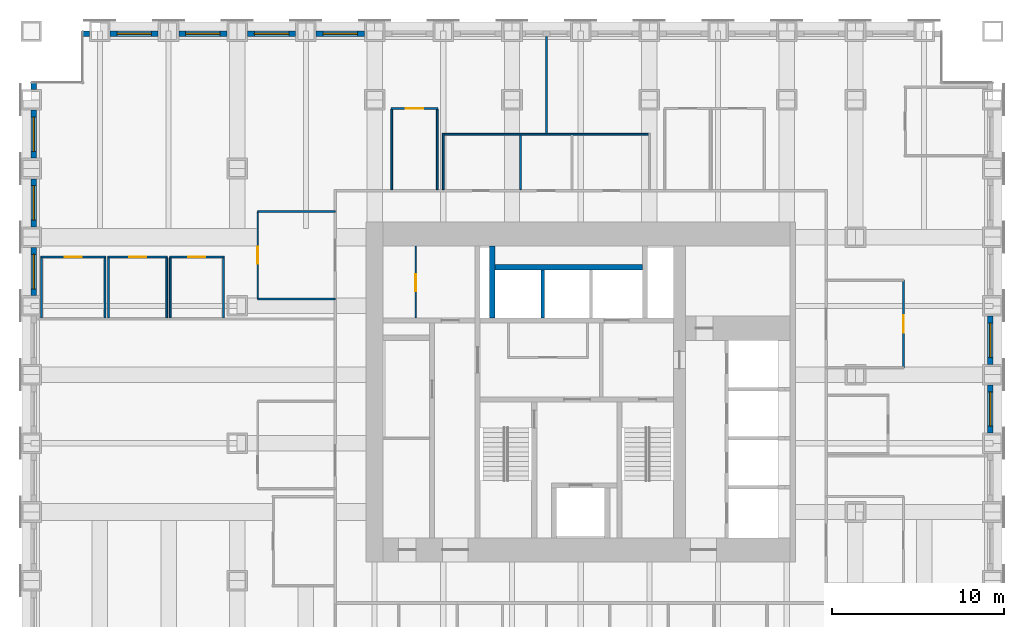
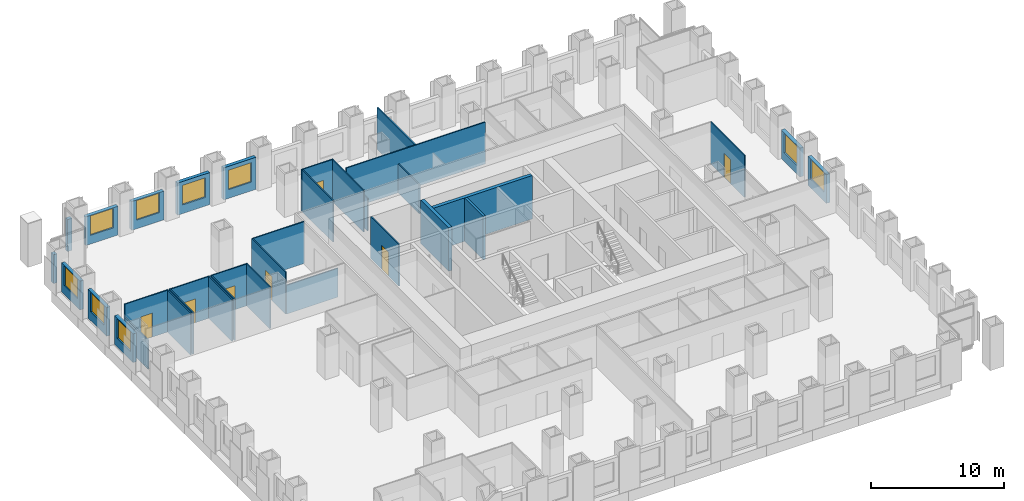
# One storey, part 11 of 15: 35 walls, 9 windows, 7 doors, 16 openings.
"""IFC4 building model written with IfcOpenShell, lengths in metres."""

from ifc_helpers import new_model, si_unit, direction, frame, frame_2d, origin, place, context, subcontext, project, spatial, rectangle, extrude, material, layer, layer_set, type_object, element, fill, save


model = new_model("IFC4")

# Units and contexts
model_context = context("Model", 3, precision=1e-05, world=origin(), true_north=direction((0.0, 1.0)))
body_context = subcontext(model_context, "Body", "Model", "MODEL_VIEW")
ifc_project = project(units=[si_unit("LENGTHUNIT", "METRE"), si_unit("AREAUNIT", "SQUARE_METRE"), si_unit("VOLUMEUNIT", "CUBIC_METRE"), si_unit("PLANEANGLEUNIT", "RADIAN"), si_unit("MASSUNIT", "GRAM", prefix="KILO")], contexts=[model_context])

# Site, building, storey
site_placement = place(None, origin())
site = spatial("IfcSite", under=ifc_project, at=site_placement, CompositionType="ELEMENT")
building_placement = place(site_placement, origin())
building = spatial("IfcBuilding", under=site, at=building_placement, Name="Rimbunsela Tower", CompositionType="ELEMENT")
storey_placement = place(building_placement, frame((0.0, 0.0, 67.0)))
storey = spatial("IfcBuildingStorey", under=building, at=storey_placement, Name="L16", CompositionType="ELEMENT", Elevation=67.0)

# Walls
ifc_material_1 = material(Name="Concrete fc' 80 MPa", Category="concrete")
ifc_layer_1 = layer(ifc_material_1, 0.300048828125)
ifc_layer_set_1 = layer_set([ifc_layer_1], Name="Core internal wall 300")
wall_type_1 = type_object("IfcWallType", Name="Core internal wall 300", PredefinedType="SHEAR", material=ifc_layer_set_1)
wall_1_placement = place(storey_placement, frame((24.85009765625, 31.300048828125, -0.14990234375), z_axis=(0.0, 0.0, 1.0), x_axis=(0.0, 1.0, 0.0)))
element("IfcWall", 1, at=wall_1_placement, inside=storey, type_object=wall_type_1, Name="Riser wall", PredefinedType="SHEAR", context=body_context, shape_type="SweptSolid", body=[
    extrude(rectangle(XDim=4.199951171875, YDim=0.300048828125, at=frame_2d((2.10009765625, 0.0))), origin(), (0.0, 0.0, 1.0), 4.0),
])
wall_2_placement = place(storey_placement, frame((25.0, 34.25, -0.14990234375), z_axis=(0.0, 0.0, 1.0), x_axis=(1.0, 0.0, 0.0)))
element("IfcWall", 2, at=wall_2_placement, inside=storey, type_object=wall_type_1, Name="Lift shaft rear north", PredefinedType="SHEAR", context=body_context, shape_type="SweptSolid", body=[
    extrude(rectangle(XDim=8.60009765625, YDim=0.300048828125, at=frame_2d((4.300048828125, 0.0))), origin(), (0.0, 0.0, 1.0), 4.0),
])

# Wall, opening, door
ifc_material_2 = material(Name="Concrete blockwork", Category="masonry")
ifc_layer_2 = layer(ifc_material_2, 0.10009765625)
ifc_layer_set_2 = layer_set([ifc_layer_2], Name="Core room partition 100")
wall_type_2 = type_object("IfcWallType", Name="Core room partition 100", PredefinedType="PARTITIONING", material=ifc_layer_set_2)
wall_3_placement = place(storey_placement, frame((20.39990234375, 31.300048828125, 0.0), z_axis=(0.0, 0.0, 1.0), x_axis=(0.0, 1.0, 0.0)))
wall_3 = element("IfcWall", 3, at=wall_3_placement, inside=storey, type_object=wall_type_2, Name="Housekeeping store wall", PredefinedType="PARTITIONING", context=body_context, shape_type="SweptSolid", body=[
    extrude(rectangle(XDim=4.199951171875, YDim=0.10009765625, at=frame_2d((2.10009765625, 0.0))), origin(), (0.0, 0.0, 1.0), 3.85009765625),
])
opening_1_placement = place(wall_3_placement, frame((1.550048828125, 0.0, 0.0)))
opening_1 = element("IfcOpeningElement", 4, at=opening_1_placement, cuts=wall_3, Name="Opening D19", PredefinedType="OPENING", context=body_context, shape_type="SweptSolid", body=[
    extrude(rectangle(XDim=1.0, YDim=2.199951171875, at=frame_2d((0.5, 1.10009765625))), frame((0.0, 0.06005859375, 0.0), z_axis=(0.0, -1.0, 0.0), x_axis=(1.0, 0.0, 0.0)), (0.0, 0.0, 1.0), 0.1201171875),
])
ifc_material_3 = material(Name="Steel door, fire rated", Category="steel")
door_type_1 = type_object("IfcDoorType", Name="Service door 1000 fire rated", OperationType="SINGLE_SWING_LEFT", PredefinedType="DOOR", material=ifc_material_3)
door_1_placement = place(opening_1_placement, origin())
door_1 = element("IfcDoor", 5, at=door_1_placement, inside=storey, type_object=door_type_1, Name="Housekeeping store door", OperationType="SINGLE_SWING_LEFT", OverallHeight=2.199951171875, OverallWidth=1.0, PredefinedType="DOOR", context=body_context, shape_type="SweptSolid", body=[
    extrude(rectangle(XDim=1.0, YDim=2.199951171875, at=frame_2d((0.5, 1.10009765625))), frame((0.0, 0.02490234375, 0.0), z_axis=(0.0, -1.0, 0.0), x_axis=(1.0, 0.0, 0.0)), (0.0, 0.0, 1.0), 0.050048828125),
])
fill(opening_1, door_1)

# Wall
ifc_material_4 = material(Name="Concrete blockwork", Category="masonry")
ifc_layer_3 = layer(ifc_material_4, 0.199951171875)
ifc_layer_set_3 = layer_set([ifc_layer_3], Name="Lift shaft wall 200")
wall_type_3 = type_object("IfcWallType", Name="Lift shaft wall 200", PredefinedType="SOLIDWALL", material=ifc_layer_set_3)
wall_4_placement = place(storey_placement, frame((27.800048828125, 31.300048828125, -0.14990234375), z_axis=(0.0, 0.0, 1.0), x_axis=(0.0, 1.0, 0.0)))
element("IfcWall", 6, at=wall_4_placement, inside=storey, type_object=wall_type_3, Name="Lift shaft separation", PredefinedType="SOLIDWALL", context=body_context, shape_type="SweptSolid", body=[
    extrude(rectangle(XDim=2.800048828125, YDim=0.199951171875, at=frame_2d((1.39990234375, 0.0))), origin(), (0.0, 0.0, 1.0), 4.0),
])

# Wall, opening, door
ifc_material_5 = material(Name="Gypsum board on steel studs", Category="steel")
ifc_layer_4 = layer(ifc_material_5, 0.10009765625)
ifc_layer_set_4 = layer_set([ifc_layer_4], Name="Office partition 100")
wall_type_4 = type_object("IfcWallType", Name="Office partition 100", PredefinedType="PARTITIONING", material=ifc_layer_set_4)
wall_5_placement = place(storey_placement, frame((-1.449951171875, 34.85009765625, 0.0), z_axis=(0.0, 0.0, 1.0), x_axis=(1.0, 0.0, 0.0)))
wall_5 = element("IfcWall", 7, at=wall_5_placement, inside=storey, type_object=wall_type_4, Name="Office partition", PredefinedType="PARTITIONING", context=body_context, shape_type="SweptSolid", body=[
    extrude(rectangle(XDim=3.800048828125, YDim=0.10009765625, at=frame_2d((1.89990234375, 0.0))), origin(), (0.0, 0.0, 1.0), 3.85009765625),
])
opening_2_placement = place(wall_5_placement, frame((1.39990234375, 0.0, 0.0)))
opening_2 = element("IfcOpeningElement", 8, at=opening_2_placement, cuts=wall_5, Name="Opening D17", PredefinedType="OPENING", context=body_context, shape_type="SweptSolid", body=[
    extrude(rectangle(XDim=1.0, YDim=2.199951171875, at=frame_2d((0.5, 1.10009765625))), frame((0.0, 0.06005859375, 0.0), z_axis=(0.0, -1.0, 0.0), x_axis=(1.0, 0.0, 0.0)), (0.0, 0.0, 1.0), 0.1201171875),
])
ifc_material_6 = material(Name="Glazed aluminium door", Category="aluminium")
door_type_2 = type_object("IfcDoorType", Name="Meeting room door 1000 glazed", OperationType="SINGLE_SWING_RIGHT", PredefinedType="DOOR", material=ifc_material_6)
door_2_placement = place(opening_2_placement, origin())
door_2 = element("IfcDoor", 9, at=door_2_placement, inside=storey, type_object=door_type_2, Name="Meeting room door", OperationType="SINGLE_SWING_RIGHT", OverallHeight=2.199951171875, OverallWidth=1.0, PredefinedType="DOOR", context=body_context, shape_type="SweptSolid", body=[
    extrude(rectangle(XDim=1.0, YDim=2.199951171875, at=frame_2d((0.5, 1.10009765625))), frame((0.0, 0.02490234375, 0.0), z_axis=(0.0, -1.0, 0.0), x_axis=(1.0, 0.0, 0.0)), (0.0, 0.0, 1.0), 0.050048828125),
])
fill(opening_2, door_2)

wall_6_placement = place(storey_placement, frame((2.449951171875, 34.85009765625, 0.0), z_axis=(0.0, 0.0, 1.0), x_axis=(1.0, 0.0, 0.0)))
wall_6 = element("IfcWall", 10, at=wall_6_placement, inside=storey, type_object=wall_type_4, Name="Office partition", PredefinedType="PARTITIONING", context=body_context, shape_type="SweptSolid", body=[
    extrude(rectangle(XDim=3.5, YDim=0.10009765625, at=frame_2d((1.75, 0.0))), origin(), (0.0, 0.0, 1.0), 3.85009765625),
])
opening_3_placement = place(wall_6_placement, frame((1.25, 0.0, 0.0)))
opening_3 = element("IfcOpeningElement", 11, at=opening_3_placement, cuts=wall_6, Name="Opening D16", PredefinedType="OPENING", context=body_context, shape_type="SweptSolid", body=[
    extrude(rectangle(XDim=1.0, YDim=2.199951171875, at=frame_2d((0.5, 1.10009765625))), frame((0.0, 0.06005859375, 0.0), z_axis=(0.0, -1.0, 0.0), x_axis=(1.0, 0.0, 0.0)), (0.0, 0.0, 1.0), 0.1201171875),
])
ifc_material_7 = material(Name="Timber door", Category="wood")
door_type_3 = type_object("IfcDoorType", Name="Office door 1000", OperationType="SINGLE_SWING_LEFT", PredefinedType="DOOR", material=ifc_material_7)
door_3_placement = place(opening_3_placement, origin())
door_3 = element("IfcDoor", 12, at=door_3_placement, inside=storey, type_object=door_type_3, Name="Office door", OperationType="SINGLE_SWING_LEFT", OverallHeight=2.199951171875, OverallWidth=1.0, PredefinedType="DOOR", context=body_context, shape_type="SweptSolid", body=[
    extrude(rectangle(XDim=1.0, YDim=2.199951171875, at=frame_2d((0.5, 1.10009765625))), frame((0.0, 0.02490234375, 0.0), z_axis=(0.0, -1.0, 0.0), x_axis=(1.0, 0.0, 0.0)), (0.0, 0.0, 1.0), 0.050048828125),
])
fill(opening_3, door_3)

wall_7_placement = place(storey_placement, frame((6.050048828125, 34.85009765625, 0.0), z_axis=(0.0, 0.0, 1.0), x_axis=(1.0, 0.0, 0.0)))
wall_7 = element("IfcWall", 13, at=wall_7_placement, inside=storey, type_object=wall_type_4, Name="Office partition", PredefinedType="PARTITIONING", context=body_context, shape_type="SweptSolid", body=[
    extrude(rectangle(XDim=3.199951171875, YDim=0.10009765625, at=frame_2d((1.60009765625, 0.0))), origin(), (0.0, 0.0, 1.0), 3.85009765625),
])
opening_4_placement = place(wall_7_placement, frame((1.10009765625, 0.0, 0.0)))
opening_4 = element("IfcOpeningElement", 14, at=opening_4_placement, cuts=wall_7, Name="Opening D16", PredefinedType="OPENING", context=body_context, shape_type="SweptSolid", body=[
    extrude(rectangle(XDim=1.0, YDim=2.199951171875, at=frame_2d((0.5, 1.10009765625))), frame((0.0, 0.06005859375, 0.0), z_axis=(0.0, -1.0, 0.0), x_axis=(1.0, 0.0, 0.0)), (0.0, 0.0, 1.0), 0.1201171875),
])
door_4_placement = place(opening_4_placement, origin())
door_4 = element("IfcDoor", 15, at=door_4_placement, inside=storey, type_object=door_type_3, Name="Office door", OperationType="SINGLE_SWING_LEFT", OverallHeight=2.199951171875, OverallWidth=1.0, PredefinedType="DOOR", context=body_context, shape_type="SweptSolid", body=[
    extrude(rectangle(XDim=1.0, YDim=2.199951171875, at=frame_2d((0.5, 1.10009765625))), frame((0.0, 0.02490234375, 0.0), z_axis=(0.0, -1.0, 0.0), x_axis=(1.0, 0.0, 0.0)), (0.0, 0.0, 1.0), 0.050048828125),
])
fill(opening_4, door_4)

wall_8_placement = place(storey_placement, frame((18.949951171875, 43.5, 0.0), z_axis=(0.0, 0.0, 1.0), x_axis=(1.0, 0.0, 0.0)))
wall_8 = element("IfcWall", 16, at=wall_8_placement, inside=storey, type_object=wall_type_4, Name="Office partition", PredefinedType="PARTITIONING", context=body_context, shape_type="SweptSolid", body=[
    extrude(rectangle(XDim=2.75, YDim=0.10009765625, at=frame_2d((1.375, 0.0))), origin(), (0.0, 0.0, 1.0), 3.85009765625),
])
opening_5_placement = place(wall_8_placement, frame((0.875, 0.0, 0.0)))
opening_5 = element("IfcOpeningElement", 17, at=opening_5_placement, cuts=wall_8, Name="Opening D16", PredefinedType="OPENING", context=body_context, shape_type="SweptSolid", body=[
    extrude(rectangle(XDim=1.0, YDim=2.199951171875, at=frame_2d((0.5, 1.10009765625))), frame((0.0, 0.06005859375, 0.0), z_axis=(0.0, -1.0, 0.0), x_axis=(1.0, 0.0, 0.0)), (0.0, 0.0, 1.0), 0.1201171875),
])
door_5_placement = place(opening_5_placement, origin())
door_5 = element("IfcDoor", 18, at=door_5_placement, inside=storey, type_object=door_type_3, Name="Office door", OperationType="SINGLE_SWING_LEFT", OverallHeight=2.199951171875, OverallWidth=1.0, PredefinedType="DOOR", context=body_context, shape_type="SweptSolid", body=[
    extrude(rectangle(XDim=1.0, YDim=2.199951171875, at=frame_2d((0.5, 1.10009765625))), frame((0.0, 0.02490234375, 0.0), z_axis=(0.0, -1.0, 0.0), x_axis=(1.0, 0.0, 0.0)), (0.0, 0.0, 1.0), 0.050048828125),
])
fill(opening_5, door_5)

# Walls
wall_9_placement = place(storey_placement, frame((-1.39990234375, 31.31005859375, 0.0), z_axis=(0.0, 0.0, 1.0), x_axis=(0.0, 1.0, 0.0)))
element("IfcWall", 19, at=wall_9_placement, inside=storey, type_object=wall_type_4, Name="Office partition", PredefinedType="PARTITIONING", context=body_context, shape_type="SweptSolid", body=[
    extrude(rectangle(XDim=3.489990234375, YDim=0.10009765625, at=frame_2d((1.7451171875, 0.0))), origin(), (0.0, 0.0, 1.0), 2.64990234375),
])
for number, where, z_axis, x_axis, name in (
    (20, (2.300048828125, 31.31005859375, 0.0), (0.0, 0.0, 1.0), (0.0, 1.0, 0.0), "Office partition"),
    (21, (2.5, 31.31005859375, 0.0), (0.0, 0.0, 1.0), (0.0, 1.0, 0.0), "Office partition"),
    (22, (5.89990234375, 31.31005859375, 0.0), (0.0, 0.0, 1.0), (0.0, 1.0, 0.0), "Office partition"),
    (23, (6.10009765625, 31.31005859375, 0.0), (0.0, 0.0, 1.0), (0.0, 1.0, 0.0), "Office partition"),
    (24, (9.199951171875, 31.31005859375, 0.0), (0.0, 0.0, 1.0), (0.0, 1.0, 0.0), "Office partition"),
):
    element("IfcWall", number, at=place(storey_placement, frame(where, z_axis=z_axis, x_axis=x_axis)), inside=storey, type_object=wall_type_4, Name=name, PredefinedType="PARTITIONING", context=body_context, shape_type="SweptSolid", body=[
        extrude(rectangle(XDim=3.489990234375, YDim=0.10009765625, at=frame_2d((1.7451171875, 0.0))), origin(), (0.0, 0.0, 1.0), 3.85009765625),
    ])
for number, where, z_axis, x_axis, name in (
    (25, (19.0, 38.77490234375, 0.0), (0.0, 0.0, 1.0), (0.0, 1.0, 0.0), "Office partition"),
    (26, (21.64990234375, 38.77490234375, 0.0), (0.0, 0.0, 1.0), (0.0, 1.0, 0.0), "Office partition"),
):
    element("IfcWall", number, at=place(storey_placement, frame(where, z_axis=z_axis, x_axis=x_axis)), inside=storey, type_object=wall_type_4, Name=name, PredefinedType="PARTITIONING", context=body_context, shape_type="SweptSolid", body=[
        extrude(rectangle(XDim=4.675048828125, YDim=0.10009765625, at=frame_2d((2.33740234375, 0.0))), origin(), (0.0, 0.0, 1.0), 3.85009765625),
    ])
wall_10_placement = place(storey_placement, frame((15.699951171875, 37.5, 0.0), z_axis=(0.0, 0.0, 1.0), x_axis=(-1.0, 0.0, 0.0)))
element("IfcWall", 27, at=wall_10_placement, inside=storey, type_object=wall_type_4, Name="Office partition", PredefinedType="PARTITIONING", context=body_context, shape_type="SweptSolid", body=[
    extrude(rectangle(XDim=4.5, YDim=0.10009765625, at=frame_2d((2.25, 0.0))), origin(), (0.0, 0.0, 1.0), 3.85009765625),
])

# Wall, opening, door
wall_11_placement = place(storey_placement, frame((11.199951171875, 37.5, 0.0), z_axis=(0.0, 0.0, 1.0), x_axis=(0.0, -1.0, 0.0)))
wall_11 = element("IfcWall", 28, at=wall_11_placement, inside=storey, type_object=wall_type_4, Name="Office partition", PredefinedType="PARTITIONING", context=body_context, shape_type="SweptSolid", body=[
    extrude(rectangle(XDim=5.10009765625, YDim=0.10009765625, at=frame_2d((2.550048828125, 0.0))), origin(), (0.0, 0.0, 1.0), 3.85009765625),
])
opening_6_placement = place(wall_11_placement, frame((2.050048828125, 0.0, 0.0)))
opening_6 = element("IfcOpeningElement", 29, at=opening_6_placement, cuts=wall_11, Name="Opening D17", PredefinedType="OPENING", context=body_context, shape_type="SweptSolid", body=[
    extrude(rectangle(XDim=1.0, YDim=2.199951171875, at=frame_2d((0.5, 1.10009765625))), frame((0.0, 0.06005859375, 0.0), z_axis=(0.0, -1.0, 0.0), x_axis=(1.0, 0.0, 0.0)), (0.0, 0.0, 1.0), 0.1201171875),
])
door_6_placement = place(opening_6_placement, origin())
door_6 = element("IfcDoor", 30, at=door_6_placement, inside=storey, type_object=door_type_2, Name="Reception door", OperationType="SINGLE_SWING_RIGHT", OverallHeight=2.199951171875, OverallWidth=1.0, PredefinedType="DOOR", context=body_context, shape_type="SweptSolid", body=[
    extrude(rectangle(XDim=1.0, YDim=2.199951171875, at=frame_2d((0.5, 1.10009765625))), frame((0.0, 0.02490234375, 0.0), z_axis=(0.0, -1.0, 0.0), x_axis=(1.0, 0.0, 0.0)), (0.0, 0.0, 1.0), 0.050048828125),
])
fill(opening_6, door_6)

# Wall
wall_12_placement = place(storey_placement, frame((11.199951171875, 32.39990234375, 0.0), z_axis=(0.0, 0.0, 1.0), x_axis=(1.0, 0.0, 0.0)))
element("IfcWall", 31, at=wall_12_placement, inside=storey, type_object=wall_type_4, Name="Office partition", PredefinedType="PARTITIONING", context=body_context, shape_type="SweptSolid", body=[
    extrude(rectangle(XDim=4.5, YDim=0.10009765625, at=frame_2d((2.25, 0.0))), origin(), (0.0, 0.0, 1.0), 2.64990234375),
])

# Wall, opening, door
wall_13_placement = place(storey_placement, frame((48.800048828125, 28.39990234375, 0.0), z_axis=(0.0, 0.0, 1.0), x_axis=(0.0, 1.0, 0.0)))
wall_13 = element("IfcWall", 32, at=wall_13_placement, inside=storey, type_object=wall_type_4, Name="Office partition", PredefinedType="PARTITIONING", context=body_context, shape_type="SweptSolid", body=[
    extrude(rectangle(XDim=5.10009765625, YDim=0.10009765625, at=frame_2d((2.550048828125, 0.0))), origin(), (0.0, 0.0, 1.0), 3.85009765625),
])
opening_7_placement = place(wall_13_placement, frame((2.050048828125, 0.0, 0.0)))
opening_7 = element("IfcOpeningElement", 33, at=opening_7_placement, cuts=wall_13, Name="Opening D17", PredefinedType="OPENING", context=body_context, shape_type="SweptSolid", body=[
    extrude(rectangle(XDim=1.0, YDim=2.199951171875, at=frame_2d((0.5, 1.10009765625))), frame((0.0, 0.06005859375, 0.0), z_axis=(0.0, -1.0, 0.0), x_axis=(1.0, 0.0, 0.0)), (0.0, 0.0, 1.0), 0.1201171875),
])
door_7_placement = place(opening_7_placement, origin())
door_7 = element("IfcDoor", 34, at=door_7_placement, inside=storey, type_object=door_type_2, Name="Reception door", OperationType="SINGLE_SWING_RIGHT", OverallHeight=2.199951171875, OverallWidth=1.0, PredefinedType="DOOR", context=body_context, shape_type="SweptSolid", body=[
    extrude(rectangle(XDim=1.0, YDim=2.199951171875, at=frame_2d((0.5, 1.10009765625))), frame((0.0, 0.02490234375, 0.0), z_axis=(0.0, -1.0, 0.0), x_axis=(1.0, 0.0, 0.0)), (0.0, 0.0, 1.0), 0.050048828125),
])
fill(opening_7, door_7)

# Wall, opening, window
ifc_material_8 = material(Name="Precast concrete fc' 35 MPa", Category="concrete")
ifc_layer_5 = layer(ifc_material_8, 0.300048828125)
ifc_layer_set_5 = layer_set([ifc_layer_5], Name="Precast concrete fc' 35 MPa")
wall_type_5 = type_object("IfcWallType", Name="Precast facade panel 300", PredefinedType="ELEMENTEDWALL", material=ifc_layer_set_5)
wall_14_placement = place(storey_placement, frame((53.85009765625, 24.60009765625, 0.0), z_axis=(0.0, 0.0, 1.0), x_axis=(0.0, 1.0, 0.0)))
wall_14 = element("IfcWall", 35, at=wall_14_placement, inside=storey, type_object=wall_type_5, Name="Facade panel E L16", PredefinedType="ELEMENTEDWALL", context=body_context, shape_type="SweptSolid", body=[
    extrude(rectangle(XDim=2.7998046875, YDim=0.300048828125, at=frame_2d((1.39990234375, 0.0))), origin(), (0.0, 0.0, 1.0), 2.64990234375),
])
opening_8_placement = place(wall_14_placement, frame((0.39990234375, 0.0, 0.800048828125)))
opening_8 = element("IfcOpeningElement", 36, at=opening_8_placement, cuts=wall_14, Name="Opening W7", PredefinedType="OPENING", context=body_context, shape_type="SweptSolid", body=[
    extrude(rectangle(XDim=2.0, YDim=1.800048828125, at=frame_2d((1.0, 0.89990234375))), frame((0.0, 0.159912109375, 0.0), z_axis=(0.0, -1.0, 0.0), x_axis=(1.0, 0.0, 0.0)), (0.0, 0.0, 1.0), 0.320068359375),
])
ifc_material_9 = material(Name="Clear glass in aluminium frame", Category="aluminium")
window_type = type_object("IfcWindowType", Name="Window W7 2000x1800", PartitioningType="DOUBLE_PANEL_VERTICAL", PredefinedType="WINDOW", material=ifc_material_9)
window_1_placement = place(opening_8_placement, origin())
window_1 = element("IfcWindow", 37, at=window_1_placement, inside=storey, type_object=window_type, Name="Window L16", OverallHeight=1.800048828125, OverallWidth=2.0, PartitioningType="SINGLE_PANEL", PredefinedType="WINDOW", context=body_context, shape_type="SweptSolid", body=[
    extrude(rectangle(XDim=2.0, YDim=1.800048828125, at=frame_2d((1.0, 0.89990234375))), frame((0.0, 0.030029296875, 0.0), z_axis=(0.0, -1.0, 0.0), x_axis=(1.0, 0.0, 0.0)), (0.0, 0.0, 1.0), 0.06005859375),
])
fill(opening_8, window_1)

wall_15_placement = place(storey_placement, frame((53.85009765625, 28.60009765625, 0.0), z_axis=(0.0, 0.0, 1.0), x_axis=(0.0, 1.0, 0.0)))
wall_15 = element("IfcWall", 38, at=wall_15_placement, inside=storey, type_object=wall_type_5, Name="Facade panel E L16", PredefinedType="ELEMENTEDWALL", context=body_context, shape_type="SweptSolid", body=[
    extrude(rectangle(XDim=2.7998046875, YDim=0.300048828125, at=frame_2d((1.39990234375, 0.0))), origin(), (0.0, 0.0, 1.0), 2.64990234375),
])
opening_9_placement = place(wall_15_placement, frame((0.39990234375, 0.0, 0.800048828125)))
opening_9 = element("IfcOpeningElement", 39, at=opening_9_placement, cuts=wall_15, Name="Opening W7", PredefinedType="OPENING", context=body_context, shape_type="SweptSolid", body=[
    extrude(rectangle(XDim=2.0, YDim=1.800048828125, at=frame_2d((1.0, 0.89990234375))), frame((0.0, 0.159912109375, 0.0), z_axis=(0.0, -1.0, 0.0), x_axis=(1.0, 0.0, 0.0)), (0.0, 0.0, 1.0), 0.320068359375),
])
window_2_placement = place(opening_9_placement, origin())
window_2 = element("IfcWindow", 40, at=window_2_placement, inside=storey, type_object=window_type, Name="Window L16", OverallHeight=1.800048828125, OverallWidth=2.0, PartitioningType="SINGLE_PANEL", PredefinedType="WINDOW", context=body_context, shape_type="SweptSolid", body=[
    extrude(rectangle(XDim=2.0, YDim=1.800048828125, at=frame_2d((1.0, 0.89990234375))), frame((0.0, 0.030029296875, 0.0), z_axis=(0.0, -1.0, 0.0), x_axis=(1.0, 0.0, 0.0)), (0.0, 0.0, 1.0), 0.06005859375),
])
fill(opening_9, window_2)

# Wall
wall_16_placement = place(storey_placement, frame((1.39990234375, 47.85009765625, 0.0), z_axis=(0.0, 0.0, 1.0), x_axis=(-1.0, 0.0, 0.0)))
element("IfcWall", 41, at=wall_16_placement, inside=storey, type_object=wall_type_5, Name="Facade panel N L16", PredefinedType="ELEMENTEDWALL", context=body_context, shape_type="SweptSolid", body=[
    extrude(rectangle(XDim=0.369873046875, YDim=0.300048828125, at=frame_2d((0.18505859375, 0.0))), origin(), (0.0, 0.0, 1.0), 2.949951171875),
])

# Wall, opening, window
wall_17_placement = place(storey_placement, frame((5.39990234375, 47.85009765625, 0.0), z_axis=(0.0, 0.0, 1.0), x_axis=(-1.0, 0.0, 0.0)))
wall_17 = element("IfcWall", 42, at=wall_17_placement, inside=storey, type_object=wall_type_5, Name="Facade panel N L16", PredefinedType="ELEMENTEDWALL", context=body_context, shape_type="SweptSolid", body=[
    extrude(rectangle(XDim=2.7998046875, YDim=0.300048828125, at=frame_2d((1.39990234375, 0.0))), origin(), (0.0, 0.0, 1.0), 2.64990234375),
])
opening_10_placement = place(wall_17_placement, frame((0.39990234375, 0.0, 0.800048828125)))
opening_10 = element("IfcOpeningElement", 43, at=opening_10_placement, cuts=wall_17, Name="Opening W7", PredefinedType="OPENING", context=body_context, shape_type="SweptSolid", body=[
    extrude(rectangle(XDim=2.0, YDim=1.800048828125, at=frame_2d((1.0, 0.89990234375))), frame((0.0, 0.159912109375, 0.0), z_axis=(0.0, -1.0, 0.0), x_axis=(1.0, 0.0, 0.0)), (0.0, 0.0, 1.0), 0.320068359375),
])
window_3_placement = place(opening_10_placement, origin())
window_3 = element("IfcWindow", 44, at=window_3_placement, inside=storey, type_object=window_type, Name="Window L16", OverallHeight=1.800048828125, OverallWidth=2.0, PartitioningType="SINGLE_PANEL", PredefinedType="WINDOW", context=body_context, shape_type="SweptSolid", body=[
    extrude(rectangle(XDim=2.0, YDim=1.800048828125, at=frame_2d((1.0, 0.89990234375))), frame((0.0, 0.030029296875, 0.0), z_axis=(0.0, -1.0, 0.0), x_axis=(1.0, 0.0, 0.0)), (0.0, 0.0, 1.0), 0.06005859375),
])
fill(opening_10, window_3)

wall_18_placement = place(storey_placement, frame((9.39990234375, 47.85009765625, 0.0), z_axis=(0.0, 0.0, 1.0), x_axis=(-1.0, 0.0, 0.0)))
wall_18 = element("IfcWall", 45, at=wall_18_placement, inside=storey, type_object=wall_type_5, Name="Facade panel N L16", PredefinedType="ELEMENTEDWALL", context=body_context, shape_type="SweptSolid", body=[
    extrude(rectangle(XDim=2.7998046875, YDim=0.300048828125, at=frame_2d((1.39990234375, 0.0))), origin(), (0.0, 0.0, 1.0), 2.64990234375),
])
opening_11_placement = place(wall_18_placement, frame((0.39990234375, 0.0, 0.800048828125)))
opening_11 = element("IfcOpeningElement", 46, at=opening_11_placement, cuts=wall_18, Name="Opening W7", PredefinedType="OPENING", context=body_context, shape_type="SweptSolid", body=[
    extrude(rectangle(XDim=2.0, YDim=1.800048828125, at=frame_2d((1.0, 0.89990234375))), frame((0.0, 0.159912109375, 0.0), z_axis=(0.0, -1.0, 0.0), x_axis=(1.0, 0.0, 0.0)), (0.0, 0.0, 1.0), 0.320068359375),
])
window_4_placement = place(opening_11_placement, origin())
window_4 = element("IfcWindow", 47, at=window_4_placement, inside=storey, type_object=window_type, Name="Window L16", OverallHeight=1.800048828125, OverallWidth=2.0, PartitioningType="SINGLE_PANEL", PredefinedType="WINDOW", context=body_context, shape_type="SweptSolid", body=[
    extrude(rectangle(XDim=2.0, YDim=1.800048828125, at=frame_2d((1.0, 0.89990234375))), frame((0.0, 0.030029296875, 0.0), z_axis=(0.0, -1.0, 0.0), x_axis=(1.0, 0.0, 0.0)), (0.0, 0.0, 1.0), 0.06005859375),
])
fill(opening_11, window_4)

wall_19_placement = place(storey_placement, frame((13.39990234375, 47.85009765625, 0.0), z_axis=(0.0, 0.0, 1.0), x_axis=(-1.0, 0.0, 0.0)))
wall_19 = element("IfcWall", 48, at=wall_19_placement, inside=storey, type_object=wall_type_5, Name="Facade panel N L16", PredefinedType="ELEMENTEDWALL", context=body_context, shape_type="SweptSolid", body=[
    extrude(rectangle(XDim=2.7998046875, YDim=0.300048828125, at=frame_2d((1.39990234375, 0.0))), origin(), (0.0, 0.0, 1.0), 2.949951171875),
])
opening_12_placement = place(wall_19_placement, frame((0.39990234375, 0.0, 0.800048828125)))
opening_12 = element("IfcOpeningElement", 49, at=opening_12_placement, cuts=wall_19, Name="Opening W7", PredefinedType="OPENING", context=body_context, shape_type="SweptSolid", body=[
    extrude(rectangle(XDim=2.0, YDim=1.800048828125, at=frame_2d((1.0, 0.89990234375))), frame((0.0, 0.159912109375, 0.0), z_axis=(0.0, -1.0, 0.0), x_axis=(1.0, 0.0, 0.0)), (0.0, 0.0, 1.0), 0.320068359375),
])
window_5_placement = place(opening_12_placement, origin())
window_5 = element("IfcWindow", 50, at=window_5_placement, inside=storey, type_object=window_type, Name="Window L16", OverallHeight=1.800048828125, OverallWidth=2.0, PartitioningType="SINGLE_PANEL", PredefinedType="WINDOW", context=body_context, shape_type="SweptSolid", body=[
    extrude(rectangle(XDim=2.0, YDim=1.800048828125, at=frame_2d((1.0, 0.89990234375))), frame((0.0, 0.030029296875, 0.0), z_axis=(0.0, -1.0, 0.0), x_axis=(1.0, 0.0, 0.0)), (0.0, 0.0, 1.0), 0.06005859375),
])
fill(opening_12, window_5)

wall_20_placement = place(storey_placement, frame((17.39990234375, 47.85009765625, 0.0), z_axis=(0.0, 0.0, 1.0), x_axis=(-1.0, 0.0, 0.0)))
wall_20 = element("IfcWall", 51, at=wall_20_placement, inside=storey, type_object=wall_type_5, Name="Facade panel N L16", PredefinedType="ELEMENTEDWALL", context=body_context, shape_type="SweptSolid", body=[
    extrude(rectangle(XDim=2.7998046875, YDim=0.300048828125, at=frame_2d((1.39990234375, 0.0))), origin(), (0.0, 0.0, 1.0), 2.949951171875),
])
opening_13_placement = place(wall_20_placement, frame((0.39990234375, 0.0, 0.800048828125)))
opening_13 = element("IfcOpeningElement", 52, at=opening_13_placement, cuts=wall_20, Name="Opening W7", PredefinedType="OPENING", context=body_context, shape_type="SweptSolid", body=[
    extrude(rectangle(XDim=2.0, YDim=1.800048828125, at=frame_2d((1.0, 0.89990234375))), frame((0.0, 0.159912109375, 0.0), z_axis=(0.0, -1.0, 0.0), x_axis=(1.0, 0.0, 0.0)), (0.0, 0.0, 1.0), 0.320068359375),
])
window_6_placement = place(opening_13_placement, origin())
window_6 = element("IfcWindow", 53, at=window_6_placement, inside=storey, type_object=window_type, Name="Window L16", OverallHeight=1.800048828125, OverallWidth=2.0, PartitioningType="SINGLE_PANEL", PredefinedType="WINDOW", context=body_context, shape_type="SweptSolid", body=[
    extrude(rectangle(XDim=2.0, YDim=1.800048828125, at=frame_2d((1.0, 0.89990234375))), frame((0.0, 0.030029296875, 0.0), z_axis=(0.0, -1.0, 0.0), x_axis=(1.0, 0.0, 0.0)), (0.0, 0.0, 1.0), 0.06005859375),
])
fill(opening_13, window_6)

wall_21_placement = place(storey_placement, frame((-1.85009765625, 35.39990234375, 0.0), z_axis=(0.0, 0.0, 1.0), x_axis=(0.0, -1.0, 0.0)))
wall_21 = element("IfcWall", 54, at=wall_21_placement, inside=storey, type_object=wall_type_5, Name="Facade panel W L16", PredefinedType="ELEMENTEDWALL", context=body_context, shape_type="SweptSolid", body=[
    extrude(rectangle(XDim=2.7998046875, YDim=0.300048828125, at=frame_2d((1.39990234375, 0.0))), origin(), (0.0, 0.0, 1.0), 2.64990234375),
])
opening_14_placement = place(wall_21_placement, frame((0.39990234375, 0.0, 0.800048828125)))
opening_14 = element("IfcOpeningElement", 55, at=opening_14_placement, cuts=wall_21, Name="Opening W7", PredefinedType="OPENING", context=body_context, shape_type="SweptSolid", body=[
    extrude(rectangle(XDim=2.0, YDim=1.800048828125, at=frame_2d((1.0, 0.89990234375))), frame((0.0, 0.159912109375, 0.0), z_axis=(0.0, -1.0, 0.0), x_axis=(1.0, 0.0, 0.0)), (0.0, 0.0, 1.0), 0.320068359375),
])
window_7_placement = place(opening_14_placement, origin())
window_7 = element("IfcWindow", 56, at=window_7_placement, inside=storey, type_object=window_type, Name="Window L16", OverallHeight=1.800048828125, OverallWidth=2.0, PartitioningType="SINGLE_PANEL", PredefinedType="WINDOW", context=body_context, shape_type="SweptSolid", body=[
    extrude(rectangle(XDim=2.0, YDim=1.800048828125, at=frame_2d((1.0, 0.89990234375))), frame((0.0, 0.030029296875, 0.0), z_axis=(0.0, -1.0, 0.0), x_axis=(1.0, 0.0, 0.0)), (0.0, 0.0, 1.0), 0.06005859375),
])
fill(opening_14, window_7)

wall_22_placement = place(storey_placement, frame((-1.85009765625, 39.39990234375, 0.0), z_axis=(0.0, 0.0, 1.0), x_axis=(0.0, -1.0, 0.0)))
wall_22 = element("IfcWall", 57, at=wall_22_placement, inside=storey, type_object=wall_type_5, Name="Facade panel W L16", PredefinedType="ELEMENTEDWALL", context=body_context, shape_type="SweptSolid", body=[
    extrude(rectangle(XDim=2.7998046875, YDim=0.300048828125, at=frame_2d((1.39990234375, 0.0))), origin(), (0.0, 0.0, 1.0), 2.64990234375),
])
opening_15_placement = place(wall_22_placement, frame((0.39990234375, 0.0, 0.800048828125)))
opening_15 = element("IfcOpeningElement", 58, at=opening_15_placement, cuts=wall_22, Name="Opening W7", PredefinedType="OPENING", context=body_context, shape_type="SweptSolid", body=[
    extrude(rectangle(XDim=2.0, YDim=1.800048828125, at=frame_2d((1.0, 0.89990234375))), frame((0.0, 0.159912109375, 0.0), z_axis=(0.0, -1.0, 0.0), x_axis=(1.0, 0.0, 0.0)), (0.0, 0.0, 1.0), 0.320068359375),
])
window_8_placement = place(opening_15_placement, origin())
window_8 = element("IfcWindow", 59, at=window_8_placement, inside=storey, type_object=window_type, Name="Window L16", OverallHeight=1.800048828125, OverallWidth=2.0, PartitioningType="SINGLE_PANEL", PredefinedType="WINDOW", context=body_context, shape_type="SweptSolid", body=[
    extrude(rectangle(XDim=2.0, YDim=1.800048828125, at=frame_2d((1.0, 0.89990234375))), frame((0.0, 0.030029296875, 0.0), z_axis=(0.0, -1.0, 0.0), x_axis=(1.0, 0.0, 0.0)), (0.0, 0.0, 1.0), 0.06005859375),
])
fill(opening_15, window_8)

wall_23_placement = place(storey_placement, frame((-1.85009765625, 43.39990234375, 0.0), z_axis=(0.0, 0.0, 1.0), x_axis=(0.0, -1.0, 0.0)))
wall_23 = element("IfcWall", 60, at=wall_23_placement, inside=storey, type_object=wall_type_5, Name="Facade panel W L16", PredefinedType="ELEMENTEDWALL", context=body_context, shape_type="SweptSolid", body=[
    extrude(rectangle(XDim=2.7998046875, YDim=0.300048828125, at=frame_2d((1.39990234375, 0.0))), origin(), (0.0, 0.0, 1.0), 2.64990234375),
])
opening_16_placement = place(wall_23_placement, frame((0.39990234375, 0.0, 0.800048828125)))
opening_16 = element("IfcOpeningElement", 61, at=opening_16_placement, cuts=wall_23, Name="Opening W7", PredefinedType="OPENING", context=body_context, shape_type="SweptSolid", body=[
    extrude(rectangle(XDim=2.0, YDim=1.800048828125, at=frame_2d((1.0, 0.89990234375))), frame((0.0, 0.159912109375, 0.0), z_axis=(0.0, -1.0, 0.0), x_axis=(1.0, 0.0, 0.0)), (0.0, 0.0, 1.0), 0.320068359375),
])
window_9_placement = place(opening_16_placement, origin())
window_9 = element("IfcWindow", 62, at=window_9_placement, inside=storey, type_object=window_type, Name="Window L16", OverallHeight=1.800048828125, OverallWidth=2.0, PartitioningType="SINGLE_PANEL", PredefinedType="WINDOW", context=body_context, shape_type="SweptSolid", body=[
    extrude(rectangle(XDim=2.0, YDim=1.800048828125, at=frame_2d((1.0, 0.89990234375))), frame((0.0, 0.030029296875, 0.0), z_axis=(0.0, -1.0, 0.0), x_axis=(1.0, 0.0, 0.0)), (0.0, 0.0, 1.0), 0.06005859375),
])
fill(opening_16, window_9)

# Walls
wall_24_placement = place(storey_placement, frame((-1.85009765625, 44.969970703125, 0.0), z_axis=(0.0, 0.0, 1.0), x_axis=(0.0, -1.0, 0.0)))
element("IfcWall", 63, at=wall_24_placement, inside=storey, type_object=wall_type_5, Name="Facade panel W L16", PredefinedType="ELEMENTEDWALL", context=body_context, shape_type="SweptSolid", body=[
    extrude(rectangle(XDim=0.369873046875, YDim=0.300048828125, at=frame_2d((0.18505859375, 0.0))), origin(), (0.0, 0.0, 1.0), 2.64990234375),
])
ifc_material_10 = material(Name="Gypsum board on steel studs", Category="steel")
ifc_layer_6 = layer(ifc_material_10, 0.1201171875)
ifc_layer_set_6 = layer_set([ifc_layer_6], Name="Tenancy partition 120")
wall_type_6 = type_object("IfcWallType", Name="Tenancy partition 120", PredefinedType="PARTITIONING", material=ifc_layer_set_6)
wall_25_placement = place(storey_placement, frame((28.0, 42.050048828125, 0.0), z_axis=(0.0, 0.0, 1.0), x_axis=(0.0, 1.0, 0.0)))
element("IfcWall", 64, at=wall_25_placement, inside=storey, type_object=wall_type_6, Name="Tenancy partition north", PredefinedType="PARTITIONING", context=body_context, shape_type="SweptSolid", body=[
    extrude(rectangle(XDim=5.64990234375, YDim=0.1201171875, at=frame_2d((2.824951171875, 0.0))), origin(), (0.0, 0.0, 1.0), 3.85009765625),
])
ifc_material_11 = material(Name="Concrete blockwork", Category="masonry")
ifc_layer_7 = layer(ifc_material_11, 0.10009765625)
ifc_layer_set_7 = layer_set([ifc_layer_7], Name="Toilet partition 100")
wall_type_7 = type_object("IfcWallType", Name="Toilet partition 100", PredefinedType="PARTITIONING", material=ifc_layer_set_7)
wall_26_placement = place(storey_placement, frame((22.0, 38.77490234375, 0.0), z_axis=(0.0, 0.0, 1.0), x_axis=(0.0, 1.0, 0.0)))
element("IfcWall", 65, at=wall_26_placement, inside=storey, type_object=wall_type_7, Name="Toilet block wall west", PredefinedType="PARTITIONING", context=body_context, shape_type="SweptSolid", body=[
    extrude(rectangle(XDim=3.275146484375, YDim=0.10009765625, at=frame_2d((1.6376953125, 0.0))), origin(), (0.0, 0.0, 1.0), 2.949951171875),
])
wall_27_placement = place(storey_placement, frame((21.949951171875, 42.0, 0.0), z_axis=(0.0, 0.0, 1.0), x_axis=(1.0, 0.0, 0.0)))
element("IfcWall", 66, at=wall_27_placement, inside=storey, type_object=wall_type_7, Name="Toilet block wall north", PredefinedType="PARTITIONING", context=body_context, shape_type="SweptSolid", body=[
    extrude(rectangle(XDim=12.10009765625, YDim=0.10009765625, at=frame_2d((6.050048828125, 0.0))), origin(), (0.0, 0.0, 1.0), 3.85009765625),
])
wall_28_placement = place(storey_placement, frame((26.5, 38.77490234375, 0.0), z_axis=(0.0, 0.0, 1.0), x_axis=(0.0, 1.0, 0.0)))
element("IfcWall", 67, at=wall_28_placement, inside=storey, type_object=wall_type_7, Name="Toilet partition", PredefinedType="PARTITIONING", context=body_context, shape_type="SweptSolid", body=[
    extrude(rectangle(XDim=3.175048828125, YDim=0.10009765625, at=frame_2d((1.58740234375, 0.0))), origin(), (0.0, 0.0, 1.0), 2.64990234375),
])

save(model, "model.ifc")
